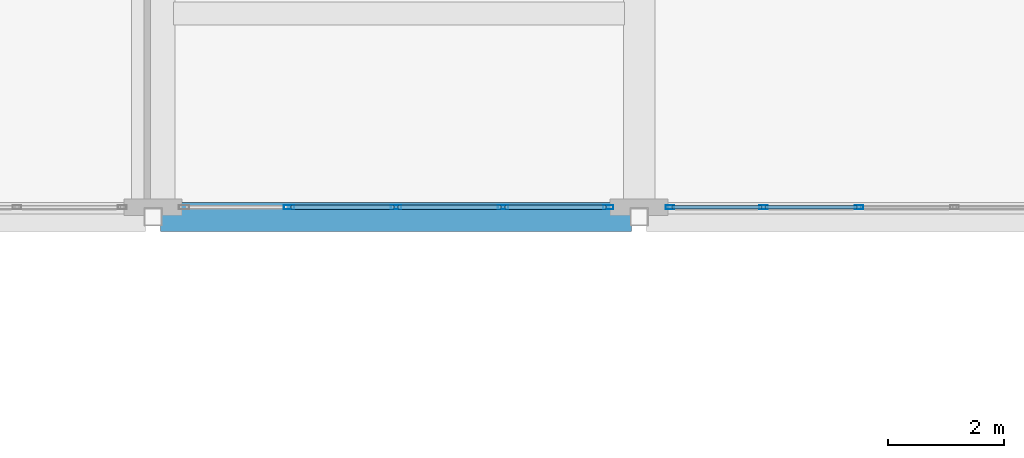
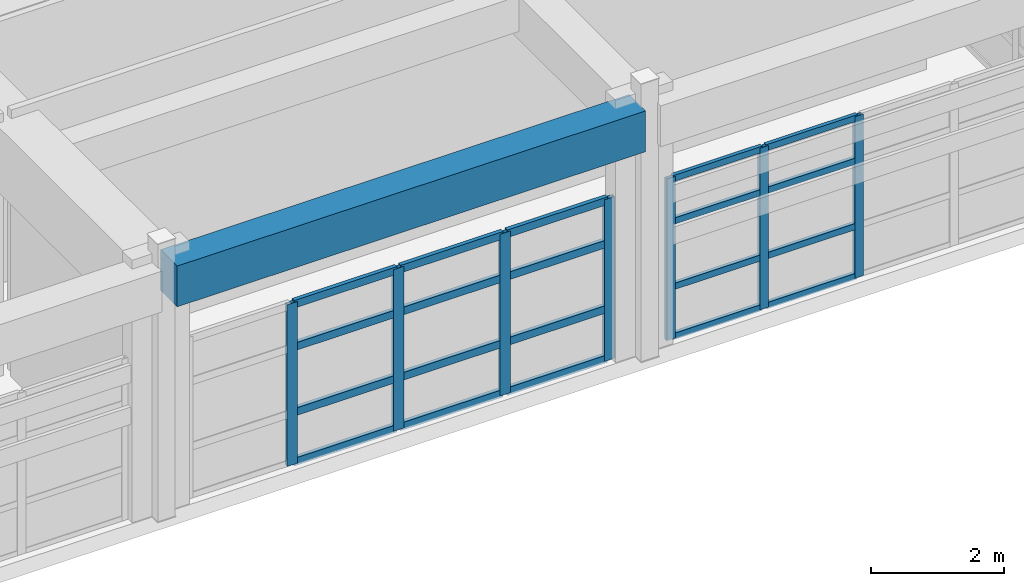
# One storey, part 65 of 103: 27 members, 1 beam, 2 elements without a shape of their own.
"""IFC4 building model written with IfcOpenShell, lengths in metres."""

import ifcopenshell
import ifcopenshell.guid

model = None  # the IFC model being written
_history = None  # IfcOwnerHistory: only IFC2X3 demands one
_inside = {}  # id of a spatial element -> (the spatial element, [elements in it])
_under = {}  # id of a project, library or spatial element -> (it, [spatial elements below it])
_declared = {}  # id of a project -> (the project, [libraries it declares])
_typed = {}  # id of a type object -> (the type object, [elements of that type])
_made_of = {}  # id of a material, layer set ... -> (it, [elements and type objects made of it])


def new_model(schema):
    """Start an empty IFC model of exactly this schema.

    Asked for "IFC4X3", IfcOpenShell would pick the latest addendum, in which some entities
    have other attributes; the version numbers below select the first issue.
    IFC2X3 requires an IfcOwnerHistory on every rooted entity: one is made here for all.
    """
    global model, _history
    if schema == "IFC4X3":
        model = ifcopenshell.file(schema_version=(4, 3, 0, 0))
    else:
        model = ifcopenshell.file(schema=schema)
    _inside.clear()
    _under.clear()
    _declared.clear()
    _typed.clear()
    _made_of.clear()
    _history = None
    if model.schema == "IFC2X3":
        org = make("IfcOrganization", Name="unknown")
        user = make(
            "IfcPersonAndOrganization",
            ThePerson=make("IfcPerson", FamilyName="unknown"),
            TheOrganization=org,
        )
        app = make(
            "IfcApplication",
            ApplicationDeveloper=org,
            Version="unknown",
            ApplicationFullName="unknown",
            ApplicationIdentifier="unknown",
        )
        _history = make(
            "IfcOwnerHistory",
            OwningUser=user,
            OwningApplication=app,
            ChangeAction="ADDED",
            CreationDate=0,
        )
    return model


def make(cls, **values):
    """One entity of the class cls with the attributes given. An attribute that is None is left unset."""
    return model.create_entity(
        cls, **{name: value for name, value in values.items() if value is not None}
    )


def rooted(cls, **values):
    """An entity with a GlobalId (a new one), such as an element, a storey or a relation."""
    return make(cls, GlobalId=ifcopenshell.guid.new(), OwnerHistory=_history, **values)


def si_unit(unit_type, name, prefix=None):
    """IfcSIUnit, for example si_unit("LENGTHUNIT", "METRE", prefix="MILLI")."""
    return make("IfcSIUnit", UnitType=unit_type, Prefix=prefix, Name=name)


def assignment(units):
    """IfcUnitAssignment: the units of a project."""
    return None if units is None else make("IfcUnitAssignment", Units=units)


def point(xyz):
    """IfcCartesianPoint."""
    return None if xyz is None else make("IfcCartesianPoint", Coordinates=xyz)


def direction(xyz):
    """IfcDirection."""
    return None if xyz is None else make("IfcDirection", DirectionRatios=xyz)


def frame(location, z_axis=None, x_axis=None):
    """IfcAxis2Placement3D, a coordinate frame: its origin and axes. An axis left out is left unset."""
    return make(
        "IfcAxis2Placement3D",
        Location=point(location),
        Axis=direction(z_axis),
        RefDirection=direction(x_axis),
    )


def frame_2d(location, x_axis=None):
    """IfcAxis2Placement2D, a coordinate frame in the plane: its origin and x axis."""
    return make(
        "IfcAxis2Placement2D", Location=point(location), RefDirection=direction(x_axis)
    )


def origin():
    """The frame at (0, 0, 0) with its axes left unset."""
    return frame((0.0, 0.0, 0.0))


def origin_2d():
    """The frame at (0, 0) in the plane with its x axis left unset."""
    return frame_2d((0.0, 0.0))


def place(relative_to, where):
    """IfcLocalPlacement: puts the frame where relative to a parent placement (None: the world)."""
    return make(
        "IfcLocalPlacement", PlacementRelTo=relative_to, RelativePlacement=where
    )


def context(
    kind, dimensions, precision=None, world=None, true_north=None, identifier=None
):
    """IfcGeometricRepresentationContext, for example the 3D "Model" context."""
    return make(
        "IfcGeometricRepresentationContext",
        ContextIdentifier=identifier,
        ContextType=kind,
        CoordinateSpaceDimension=dimensions,
        Precision=precision,
        WorldCoordinateSystem=world,
        TrueNorth=true_north,
    )


def subcontext(parent, identifier, kind, view, scale=None):
    """IfcGeometricRepresentationSubContext, for example "Body" below "Model"."""
    return make(
        "IfcGeometricRepresentationSubContext",
        ContextIdentifier=identifier,
        ContextType=kind,
        ParentContext=parent,
        TargetScale=scale,
        TargetView=view,
    )


def project(units=None, contexts=None):
    """IfcProject with its units and contexts."""
    return rooted(
        "IfcProject",
        Name="project",
        RepresentationContexts=contexts,
        UnitsInContext=assignment(units),
    )


def spatial(cls, under=None, at=None, **own):
    """A site, building, storey or space (cls), placed at a placement, below another one or the project."""
    s = rooted(cls, ObjectPlacement=at, **own)
    if under is not None:
        _under.setdefault(under.id(), (under, []))[1].append(s)
    return s


def profile(cls, at=None, kind="AREA", **sizes):
    """A parametric profile (cls). Its sizes go by their IFC names, for example OverallWidth=200.0."""
    return make(cls, ProfileType=kind, Position=at, **sizes)


def rectangle(**sizes):
    """IfcRectangleProfileDef."""
    return profile("IfcRectangleProfileDef", **sizes)


def hollow_rectangle(**sizes):
    """IfcRectangleHollowProfileDef."""
    return profile("IfcRectangleHollowProfileDef", **sizes)


def extrude(swept, where, along, depth):
    """IfcExtrudedAreaSolid: the profile swept, set in the frame where, extruded along a direction by depth."""
    return make(
        "IfcExtrudedAreaSolid",
        SweptArea=swept,
        Position=where,
        ExtrudedDirection=direction(along),
        Depth=depth,
    )


def shape(context_of_items, identifier, shape_type, items):
    """IfcShapeRepresentation: the items that make up one representation, for example the "Body"."""
    return make(
        "IfcShapeRepresentation",
        ContextOfItems=context_of_items,
        RepresentationIdentifier=identifier,
        RepresentationType=shape_type,
        Items=items,
    )


def material(Name=None, Category=None):
    """IfcMaterial."""
    return make("IfcMaterial", Name=Name, Category=Category)


def layer(
    of_material, thickness, ventilated=None, Name=None, Category=None, Priority=None
):
    """IfcMaterialLayer: one layer of a wall or slab, of a material (None: an air gap)."""
    return make(
        "IfcMaterialLayer",
        Material=of_material,
        LayerThickness=thickness,
        IsVentilated=ventilated,
        Name=Name,
        Category=Category,
        Priority=Priority,
    )


def layer_set(layers, Name=None):
    """IfcMaterialLayerSet."""
    return make("IfcMaterialLayerSet", MaterialLayers=layers, LayerSetName=Name)


def material_profile(
    of_material, cross_section, Name=None, Category=None, Priority=None
):
    """IfcMaterialProfile: a cross section and its material."""
    return make(
        "IfcMaterialProfile",
        Name=Name,
        Material=of_material,
        Profile=cross_section,
        Priority=Priority,
        Category=Category,
    )


def profile_set(profiles, Name=None, composite=None):
    """IfcMaterialProfileSet."""
    return make(
        "IfcMaterialProfileSet",
        Name=Name,
        MaterialProfiles=profiles,
        CompositeProfile=composite,
    )


def made_of(thing, what):
    """Note that an element or type object is made of a material, layer set ...; save() writes the relation."""
    if what is not None:
        _made_of.setdefault(what.id(), (what, []))[1].append(thing)
    return thing


def type_object(cls, material=None, **own):
    """A type object (cls), such as IfcWallType, which elements share."""
    return made_of(rooted(cls, **own), material)


def element(
    cls,
    number,
    at=None,
    inside=None,
    cuts=None,
    type_object=None,
    material=None,
    context=None,
    identifier="Body",
    shape_type=None,
    held_by="IfcProductDefinitionShape",
    body=None,
    shapes=None,
    **own,
):
    """One element of the class cls, such as IfcWall. Its Tag is "e" and its number.

    at: its placement. inside: the storey or other place that contains it. cuts: it is an
    opening in that element (IfcRelVoidsElement). A single representation is given by context,
    identifier, shape_type and body (its items); several are given by shapes. held_by: the class
    of the entity that holds the representations. save() writes the other relations.
    """
    e = rooted(cls, Tag="e%d" % number, ObjectPlacement=at, **own)
    if body is not None:
        shapes = [shape(context, identifier, shape_type, body)]
    if shapes is not None:
        e.Representation = make(held_by, Representations=shapes)
    if inside is not None:
        _inside.setdefault(inside.id(), (inside, []))[1].append(e)
    if cuts is not None:
        rooted(
            "IfcRelVoidsElement", RelatingBuildingElement=cuts, RelatedOpeningElement=e
        )
    if type_object is not None:
        _typed.setdefault(type_object.id(), (type_object, []))[1].append(e)
    return made_of(e, material)


def aggregate(whole, parts):
    """IfcRelAggregates: a whole, such as a stair, and the parts it consists of."""
    return rooted("IfcRelAggregates", RelatingObject=whole, RelatedObjects=parts)


def save(model, path):
    """Write the relations noted so far, then the file.

    IfcRelAggregates (storeys below a building ...), IfcRelContainedInSpatialStructure (elements
    in a storey), IfcRelDefinesByType, IfcRelAssociatesMaterial and IfcRelDeclares: one each for
    every whole, place, type object, material and project.
    """
    for whole, parts in _under.values():
        aggregate(whole, parts)
    for where, things in _inside.values():
        rooted(
            "IfcRelContainedInSpatialStructure",
            RelatedElements=things,
            RelatingStructure=where,
        )
    for kind, things in _typed.values():
        rooted("IfcRelDefinesByType", RelatedObjects=things, RelatingType=kind)
    for what, things in _made_of.values():
        rooted("IfcRelAssociatesMaterial", RelatedObjects=things, RelatingMaterial=what)
    for by, libraries in _declared.values():
        rooted("IfcRelDeclares", RelatingContext=by, RelatedDefinitions=libraries)
    model.write(path)


model = new_model("IFC4")

# Units and contexts
model_context = context("Model", 3, precision=1e-05, world=origin(), true_north=direction((0.0, 1.0)))
body_context = subcontext(model_context, "Body", "Model", "MODEL_VIEW")
ifc_project = project(units=[si_unit("LENGTHUNIT", "METRE"), si_unit("AREAUNIT", "SQUARE_METRE"), si_unit("VOLUMEUNIT", "CUBIC_METRE"), si_unit("PLANEANGLEUNIT", "RADIAN"), si_unit("MASSUNIT", "GRAM", prefix="KILO")], contexts=[model_context])

# Site, building, storey
site_placement = place(None, origin())
site = spatial("IfcSite", under=ifc_project, at=site_placement, CompositionType="ELEMENT")
building_placement = place(site_placement, origin())
building = spatial("IfcBuilding", under=site, at=building_placement, Name="Quendrovan Civic Courthouse", CompositionType="ELEMENT")
storey_placement = place(building_placement, frame((0.0, 0.0, 15.300048828125)))
storey = spatial("IfcBuildingStorey", under=building, at=storey_placement, Name="L04", CompositionType="ELEMENT", Elevation=15.300048828125)

# Beam
ifc_material_1 = material(Name="Concrete C40/50", Category="concrete")
ifc_material_profile_1 = material_profile(ifc_material_1, rectangle(XDim=0.5, YDim=0.75, at=origin_2d()), Name="RC-BM-500x750")
ifc_profile_set_1 = profile_set([ifc_material_profile_1], Name="Concrete C40/50")
beam_type = type_object("IfcBeamType", Name="BM-RC750", PredefinedType="SPANDREL", material=ifc_profile_set_1)
beam_placement = place(storey_placement, frame((126.1298828125, 87.60009765625, 4.284912109375), z_axis=(1.0, 0.0, 0.0), x_axis=(0.0, 1.0, 0.0)))
element("IfcBeam", 1, at=beam_placement, inside=storey, type_object=beam_type, Name="L04 Girder X0912", PredefinedType="SPANDREL", context=body_context, shape_type="SweptSolid", body=[
    extrude(rectangle(XDim=0.5, YDim=0.75, at=origin_2d()), origin(), (0.0, 0.0, 1.0), 8.14013671875),
])

# Curtain wall, members
ifc_material_2 = material(Name="Bronze anodised aluminium and low-E glass", Category="aluminium")
ifc_layer_1 = layer(ifc_material_2, 0.179931640625, Name="Bronze anodised aluminium and low-E glass")
ifc_layer_set_1 = layer_set([ifc_layer_1], Name="Bronze anodised aluminium and low-E glass")
curtain_wall_type_1 = type_object("IfcCurtainWallType", Name="CW-U74x30", PredefinedType="USERDEFINED", material=ifc_layer_set_1)
curtain_wall_1_placement = place(storey_placement, origin())
curtain_wall_1 = element("IfcCurtainWall", 2, at=curtain_wall_1_placement, inside=storey, type_object=curtain_wall_type_1, Name="L04 Unitised Hurricane Curtain Wall CW-174", ObjectType="UNITISED CURTAIN WALL", PredefinedType="USERDEFINED")
ifc_material_3 = material(Name="Bronze anodised aluminium", Category="aluminium")
ifc_material_profile_2 = material_profile(ifc_material_3, hollow_rectangle(XDim=0.070068359375, YDim=0.179931640625, WallThickness=0.00390625, at=origin_2d()), Name="CW-MULL-70x180")
ifc_profile_set_2 = profile_set([ifc_material_profile_2], Name="Bronze anodised aluminium")
member_type_1 = type_object("IfcMemberType", Name="CW-MULL-A", PredefinedType="MULLION", material=ifc_profile_set_2)
member_1_placement = place(storey_placement, frame((133.864990234375, 87.764892578125, 0.0), z_axis=(0.0, 0.0, 1.0), x_axis=(0.0, -1.0, 0.0)))
member_1 = element("IfcMember", 3, at=member_1_placement, type_object=member_type_1, Name="CW-174 mullion 1", PredefinedType="MULLION", context=body_context, shape_type="SweptSolid", body=[
    extrude(hollow_rectangle(XDim=0.070068359375, YDim=0.179931640625, WallThickness=0.00390625, at=origin_2d()), origin(), (0.0, 0.0, 1.0), 2.969970703125),
])
member_2_placement = place(storey_placement, frame((132.050048828125, 87.764892578125, 0.0), z_axis=(0.0, 0.0, 1.0), x_axis=(0.0, -1.0, 0.0)))
member_2 = element("IfcMember", 4, at=member_2_placement, type_object=member_type_1, Name="CW-174 mullion 2", PredefinedType="MULLION", context=body_context, shape_type="SweptSolid", body=[
    extrude(hollow_rectangle(XDim=0.070068359375, YDim=0.179931640625, WallThickness=0.00390625, at=origin_2d()), origin(), (0.0, 0.0, 1.0), 2.969970703125),
])
member_3_placement = place(storey_placement, frame((130.199951171875, 87.764892578125, 0.0), z_axis=(0.0, 0.0, 1.0), x_axis=(0.0, -1.0, 0.0)))
member_3 = element("IfcMember", 5, at=member_3_placement, type_object=member_type_1, Name="CW-174 mullion 3", PredefinedType="MULLION", context=body_context, shape_type="SweptSolid", body=[
    extrude(hollow_rectangle(XDim=0.070068359375, YDim=0.179931640625, WallThickness=0.00390625, at=origin_2d()), origin(), (0.0, 0.0, 1.0), 2.969970703125),
])
member_4_placement = place(storey_placement, frame((128.35009765625, 87.764892578125, 0.0), z_axis=(0.0, 0.0, 1.0), x_axis=(0.0, -1.0, 0.0)))
member_4 = element("IfcMember", 6, at=member_4_placement, type_object=member_type_1, Name="CW-174 mullion 4", PredefinedType="MULLION", context=body_context, shape_type="SweptSolid", body=[
    extrude(hollow_rectangle(XDim=0.070068359375, YDim=0.179931640625, WallThickness=0.00390625, at=origin_2d()), origin(), (0.0, 0.0, 1.0), 2.969970703125),
])

ifc_layer_2 = layer(ifc_material_2, 0.179931640625, Name="Bronze anodised aluminium and low-E glass")
ifc_layer_set_2 = layer_set([ifc_layer_2], Name="Bronze anodised aluminium and low-E glass")
curtain_wall_type_2 = type_object("IfcCurtainWallType", Name="CW-U66x30", PredefinedType="USERDEFINED", material=ifc_layer_set_2)
curtain_wall_2_placement = place(storey_placement, origin())
curtain_wall_2 = element("IfcCurtainWall", 7, at=curtain_wall_2_placement, inside=storey, type_object=curtain_wall_type_2, Name="L04 Unitised Hurricane Curtain Wall CW-173", ObjectType="UNITISED CURTAIN WALL", PredefinedType="USERDEFINED")
ifc_material_profile_3 = material_profile(ifc_material_3, hollow_rectangle(XDim=0.06494140625, YDim=0.14990234375, WallThickness=0.00390625, at=origin_2d()), Name="CW-MULL-65x150")
ifc_profile_set_3 = profile_set([ifc_material_profile_3], Name="Bronze anodised aluminium")
member_type_2 = type_object("IfcMemberType", Name="CW-MULL-B", PredefinedType="MULLION", material=ifc_profile_set_3)
member_5_placement = place(storey_placement, frame((138.199951171875, 87.764892578125, 0.0), z_axis=(0.0, 0.0, 1.0), x_axis=(0.0, -1.0, 0.0)))
member_5 = element("IfcMember", 8, at=member_5_placement, type_object=member_type_2, Name="CW-173 mullion 3", PredefinedType="MULLION", context=body_context, shape_type="SweptSolid", body=[
    extrude(hollow_rectangle(XDim=0.06494140625, YDim=0.14990234375, WallThickness=0.00390625, at=origin_2d()), origin(), (0.0, 0.0, 1.0), 2.969970703125),
])
member_6_placement = place(storey_placement, frame((136.550048828125, 87.764892578125, 0.0), z_axis=(0.0, 0.0, 1.0), x_axis=(0.0, -1.0, 0.0)))
member_6 = element("IfcMember", 9, at=member_6_placement, type_object=member_type_2, Name="CW-173 mullion 4", PredefinedType="MULLION", context=body_context, shape_type="SweptSolid", body=[
    extrude(hollow_rectangle(XDim=0.06494140625, YDim=0.14990234375, WallThickness=0.00390625, at=origin_2d()), origin(), (0.0, 0.0, 1.0), 2.969970703125),
])
member_7_placement = place(storey_placement, frame((134.9326171875, 87.764892578125, 0.0), z_axis=(0.0, 0.0, 1.0), x_axis=(0.0, -1.0, 0.0)))
member_7 = element("IfcMember", 10, at=member_7_placement, type_object=member_type_2, Name="CW-173 mullion 5", PredefinedType="MULLION", context=body_context, shape_type="SweptSolid", body=[
    extrude(hollow_rectangle(XDim=0.06494140625, YDim=0.14990234375, WallThickness=0.00390625, at=origin_2d()), origin(), (0.0, 0.0, 1.0), 2.969970703125),
])

# Member
ifc_material_profile_4 = material_profile(ifc_material_3, hollow_rectangle(XDim=0.070068359375, YDim=0.139892578125, WallThickness=0.00390625, at=origin_2d()), Name="CW-TRAN-70x140")
ifc_profile_set_4 = profile_set([ifc_material_profile_4], Name="Bronze anodised aluminium")
member_type_3 = type_object("IfcMemberType", Name="CW-TRAN-A", PredefinedType="USERDEFINED", material=ifc_profile_set_4)
member_8_placement = place(storey_placement, frame((133.830078125, 87.764892578125, 0.034912109375), z_axis=(-1.0, 0.0, 0.0), x_axis=(0.0, -1.0, 0.0)))
member_8 = element("IfcMember", 11, at=member_8_placement, type_object=member_type_3, Name="CW-174 transom 1.1", ObjectType="TRANSOM", PredefinedType="USERDEFINED", context=body_context, shape_type="SweptSolid", body=[
    extrude(hollow_rectangle(XDim=0.070068359375, YDim=0.139892578125, WallThickness=0.00390625, at=origin_2d()), origin(), (0.0, 0.0, 1.0), 1.7451171875),
])

member_9_placement = place(storey_placement, frame((133.830078125, 87.764892578125, 0.949951171875), z_axis=(-1.0, 0.0, 0.0), x_axis=(0.0, -1.0, 0.0)))
member_9 = element("IfcMember", 12, at=member_9_placement, type_object=member_type_3, Name="CW-174 transom 1.2", ObjectType="TRANSOM", PredefinedType="USERDEFINED", context=body_context, shape_type="SweptSolid", body=[
    extrude(hollow_rectangle(XDim=0.070068359375, YDim=0.139892578125, WallThickness=0.00390625, at=origin_2d()), origin(), (0.0, 0.0, 1.0), 1.7451171875),
])

member_10_placement = place(storey_placement, frame((133.830078125, 87.764892578125, 2.14990234375), z_axis=(-1.0, 0.0, 0.0), x_axis=(0.0, -1.0, 0.0)))
member_10 = element("IfcMember", 13, at=member_10_placement, type_object=member_type_3, Name="CW-174 transom 1.3", ObjectType="TRANSOM", PredefinedType="USERDEFINED", context=body_context, shape_type="SweptSolid", body=[
    extrude(hollow_rectangle(XDim=0.070068359375, YDim=0.139892578125, WallThickness=0.00390625, at=origin_2d()), origin(), (0.0, 0.0, 1.0), 1.7451171875),
])

member_11_placement = place(storey_placement, frame((133.830078125, 87.764892578125, 2.93505859375), z_axis=(-1.0, 0.0, 0.0), x_axis=(0.0, -1.0, 0.0)))
member_11 = element("IfcMember", 14, at=member_11_placement, type_object=member_type_3, Name="CW-174 transom 1.4", ObjectType="TRANSOM", PredefinedType="USERDEFINED", context=body_context, shape_type="SweptSolid", body=[
    extrude(hollow_rectangle(XDim=0.070068359375, YDim=0.139892578125, WallThickness=0.00390625, at=origin_2d()), origin(), (0.0, 0.0, 1.0), 1.7451171875),
])

member_12_placement = place(storey_placement, frame((132.014892578125, 87.764892578125, 0.034912109375), z_axis=(-1.0, 0.0, 0.0), x_axis=(0.0, -1.0, 0.0)))
member_12 = element("IfcMember", 15, at=member_12_placement, type_object=member_type_3, Name="CW-174 transom 2.1", ObjectType="TRANSOM", PredefinedType="USERDEFINED", context=body_context, shape_type="SweptSolid", body=[
    extrude(hollow_rectangle(XDim=0.070068359375, YDim=0.139892578125, WallThickness=0.00390625, at=origin_2d()), origin(), (0.0, 0.0, 1.0), 1.77978515625),
])

member_13_placement = place(storey_placement, frame((132.014892578125, 87.764892578125, 0.949951171875), z_axis=(-1.0, 0.0, 0.0), x_axis=(0.0, -1.0, 0.0)))
member_13 = element("IfcMember", 16, at=member_13_placement, type_object=member_type_3, Name="CW-174 transom 2.2", ObjectType="TRANSOM", PredefinedType="USERDEFINED", context=body_context, shape_type="SweptSolid", body=[
    extrude(hollow_rectangle(XDim=0.070068359375, YDim=0.139892578125, WallThickness=0.00390625, at=origin_2d()), origin(), (0.0, 0.0, 1.0), 1.77978515625),
])

member_14_placement = place(storey_placement, frame((132.014892578125, 87.764892578125, 2.14990234375), z_axis=(-1.0, 0.0, 0.0), x_axis=(0.0, -1.0, 0.0)))
member_14 = element("IfcMember", 17, at=member_14_placement, type_object=member_type_3, Name="CW-174 transom 2.3", ObjectType="TRANSOM", PredefinedType="USERDEFINED", context=body_context, shape_type="SweptSolid", body=[
    extrude(hollow_rectangle(XDim=0.070068359375, YDim=0.139892578125, WallThickness=0.00390625, at=origin_2d()), origin(), (0.0, 0.0, 1.0), 1.77978515625),
])

member_15_placement = place(storey_placement, frame((132.014892578125, 87.764892578125, 2.93505859375), z_axis=(-1.0, 0.0, 0.0), x_axis=(0.0, -1.0, 0.0)))
member_15 = element("IfcMember", 18, at=member_15_placement, type_object=member_type_3, Name="CW-174 transom 2.4", ObjectType="TRANSOM", PredefinedType="USERDEFINED", context=body_context, shape_type="SweptSolid", body=[
    extrude(hollow_rectangle(XDim=0.070068359375, YDim=0.139892578125, WallThickness=0.00390625, at=origin_2d()), origin(), (0.0, 0.0, 1.0), 1.77978515625),
])

member_16_placement = place(storey_placement, frame((130.1650390625, 87.764892578125, 0.034912109375), z_axis=(-1.0, 0.0, 0.0), x_axis=(0.0, -1.0, 0.0)))
member_16 = element("IfcMember", 19, at=member_16_placement, type_object=member_type_3, Name="CW-174 transom 3.1", ObjectType="TRANSOM", PredefinedType="USERDEFINED", context=body_context, shape_type="SweptSolid", body=[
    extrude(hollow_rectangle(XDim=0.070068359375, YDim=0.139892578125, WallThickness=0.00390625, at=origin_2d()), origin(), (0.0, 0.0, 1.0), 1.780029296875),
])

member_17_placement = place(storey_placement, frame((130.1650390625, 87.764892578125, 0.949951171875), z_axis=(-1.0, 0.0, 0.0), x_axis=(0.0, -1.0, 0.0)))
member_17 = element("IfcMember", 20, at=member_17_placement, type_object=member_type_3, Name="CW-174 transom 3.2", ObjectType="TRANSOM", PredefinedType="USERDEFINED", context=body_context, shape_type="SweptSolid", body=[
    extrude(hollow_rectangle(XDim=0.070068359375, YDim=0.139892578125, WallThickness=0.00390625, at=origin_2d()), origin(), (0.0, 0.0, 1.0), 1.780029296875),
])

member_18_placement = place(storey_placement, frame((130.1650390625, 87.764892578125, 2.14990234375), z_axis=(-1.0, 0.0, 0.0), x_axis=(0.0, -1.0, 0.0)))
member_18 = element("IfcMember", 21, at=member_18_placement, type_object=member_type_3, Name="CW-174 transom 3.3", ObjectType="TRANSOM", PredefinedType="USERDEFINED", context=body_context, shape_type="SweptSolid", body=[
    extrude(hollow_rectangle(XDim=0.070068359375, YDim=0.139892578125, WallThickness=0.00390625, at=origin_2d()), origin(), (0.0, 0.0, 1.0), 1.780029296875),
])

member_19_placement = place(storey_placement, frame((130.1650390625, 87.764892578125, 2.93505859375), z_axis=(-1.0, 0.0, 0.0), x_axis=(0.0, -1.0, 0.0)))
member_19 = element("IfcMember", 22, at=member_19_placement, type_object=member_type_3, Name="CW-174 transom 3.4", ObjectType="TRANSOM", PredefinedType="USERDEFINED", context=body_context, shape_type="SweptSolid", body=[
    extrude(hollow_rectangle(XDim=0.070068359375, YDim=0.139892578125, WallThickness=0.00390625, at=origin_2d()), origin(), (0.0, 0.0, 1.0), 1.780029296875),
])

aggregate(curtain_wall_1, [member_1, member_2, member_3, member_4, member_8, member_9, member_10, member_11, member_12, member_13, member_14, member_15, member_16, member_17, member_18, member_19])

ifc_material_profile_5 = material_profile(ifc_material_3, hollow_rectangle(XDim=0.06494140625, YDim=0.114990234375, WallThickness=0.00390625, at=origin_2d()), Name="CW-TRAN-65x115")
ifc_profile_set_5 = profile_set([ifc_material_profile_5], Name="Bronze anodised aluminium")
member_type_4 = type_object("IfcMemberType", Name="CW-TRAN-B", PredefinedType="USERDEFINED", material=ifc_profile_set_5)
member_20_placement = place(storey_placement, frame((138.16748046875, 87.764892578125, 0.032470703125), z_axis=(-1.0, 0.0, 0.0), x_axis=(0.0, -1.0, 0.0)))
member_20 = element("IfcMember", 23, at=member_20_placement, type_object=member_type_4, Name="CW-173 transom 3.1", ObjectType="TRANSOM", PredefinedType="USERDEFINED", context=body_context, shape_type="SweptSolid", body=[
    extrude(hollow_rectangle(XDim=0.06494140625, YDim=0.114990234375, WallThickness=0.00390625, at=origin_2d()), origin(), (0.0, 0.0, 1.0), 1.5849609375),
])

member_21_placement = place(storey_placement, frame((138.16748046875, 87.764892578125, 0.949951171875), z_axis=(-1.0, 0.0, 0.0), x_axis=(0.0, -1.0, 0.0)))
member_21 = element("IfcMember", 24, at=member_21_placement, type_object=member_type_4, Name="CW-173 transom 3.2", ObjectType="TRANSOM", PredefinedType="USERDEFINED", context=body_context, shape_type="SweptSolid", body=[
    extrude(hollow_rectangle(XDim=0.06494140625, YDim=0.114990234375, WallThickness=0.00390625, at=origin_2d()), origin(), (0.0, 0.0, 1.0), 1.5849609375),
])

member_22_placement = place(storey_placement, frame((138.16748046875, 87.764892578125, 2.14990234375), z_axis=(-1.0, 0.0, 0.0), x_axis=(0.0, -1.0, 0.0)))
member_22 = element("IfcMember", 25, at=member_22_placement, type_object=member_type_4, Name="CW-173 transom 3.3", ObjectType="TRANSOM", PredefinedType="USERDEFINED", context=body_context, shape_type="SweptSolid", body=[
    extrude(hollow_rectangle(XDim=0.06494140625, YDim=0.114990234375, WallThickness=0.00390625, at=origin_2d()), origin(), (0.0, 0.0, 1.0), 1.5849609375),
])

member_23_placement = place(storey_placement, frame((138.16748046875, 87.764892578125, 2.9375), z_axis=(-1.0, 0.0, 0.0), x_axis=(0.0, -1.0, 0.0)))
member_23 = element("IfcMember", 26, at=member_23_placement, type_object=member_type_4, Name="CW-173 transom 3.4", ObjectType="TRANSOM", PredefinedType="USERDEFINED", context=body_context, shape_type="SweptSolid", body=[
    extrude(hollow_rectangle(XDim=0.06494140625, YDim=0.114990234375, WallThickness=0.00390625, at=origin_2d()), origin(), (0.0, 0.0, 1.0), 1.5849609375),
])

member_24_placement = place(storey_placement, frame((136.517578125, 87.764892578125, 0.032470703125), z_axis=(-1.0, 0.0, 0.0), x_axis=(0.0, -1.0, 0.0)))
member_24 = element("IfcMember", 27, at=member_24_placement, type_object=member_type_4, Name="CW-173 transom 4.1", ObjectType="TRANSOM", PredefinedType="USERDEFINED", context=body_context, shape_type="SweptSolid", body=[
    extrude(hollow_rectangle(XDim=0.06494140625, YDim=0.114990234375, WallThickness=0.00390625, at=origin_2d()), origin(), (0.0, 0.0, 1.0), 1.552490234375),
])

member_25_placement = place(storey_placement, frame((136.517578125, 87.764892578125, 0.949951171875), z_axis=(-1.0, 0.0, 0.0), x_axis=(0.0, -1.0, 0.0)))
member_25 = element("IfcMember", 28, at=member_25_placement, type_object=member_type_4, Name="CW-173 transom 4.2", ObjectType="TRANSOM", PredefinedType="USERDEFINED", context=body_context, shape_type="SweptSolid", body=[
    extrude(hollow_rectangle(XDim=0.06494140625, YDim=0.114990234375, WallThickness=0.00390625, at=origin_2d()), origin(), (0.0, 0.0, 1.0), 1.552490234375),
])

member_26_placement = place(storey_placement, frame((136.517578125, 87.764892578125, 2.14990234375), z_axis=(-1.0, 0.0, 0.0), x_axis=(0.0, -1.0, 0.0)))
member_26 = element("IfcMember", 29, at=member_26_placement, type_object=member_type_4, Name="CW-173 transom 4.3", ObjectType="TRANSOM", PredefinedType="USERDEFINED", context=body_context, shape_type="SweptSolid", body=[
    extrude(hollow_rectangle(XDim=0.06494140625, YDim=0.114990234375, WallThickness=0.00390625, at=origin_2d()), origin(), (0.0, 0.0, 1.0), 1.552490234375),
])

member_27_placement = place(storey_placement, frame((136.517578125, 87.764892578125, 2.9375), z_axis=(-1.0, 0.0, 0.0), x_axis=(0.0, -1.0, 0.0)))
member_27 = element("IfcMember", 30, at=member_27_placement, type_object=member_type_4, Name="CW-173 transom 4.4", ObjectType="TRANSOM", PredefinedType="USERDEFINED", context=body_context, shape_type="SweptSolid", body=[
    extrude(hollow_rectangle(XDim=0.06494140625, YDim=0.114990234375, WallThickness=0.00390625, at=origin_2d()), origin(), (0.0, 0.0, 1.0), 1.552490234375),
])

aggregate(curtain_wall_2, [member_5, member_6, member_7, member_20, member_21, member_22, member_23, member_24, member_25, member_26, member_27])

save(model, "model.ifc")
